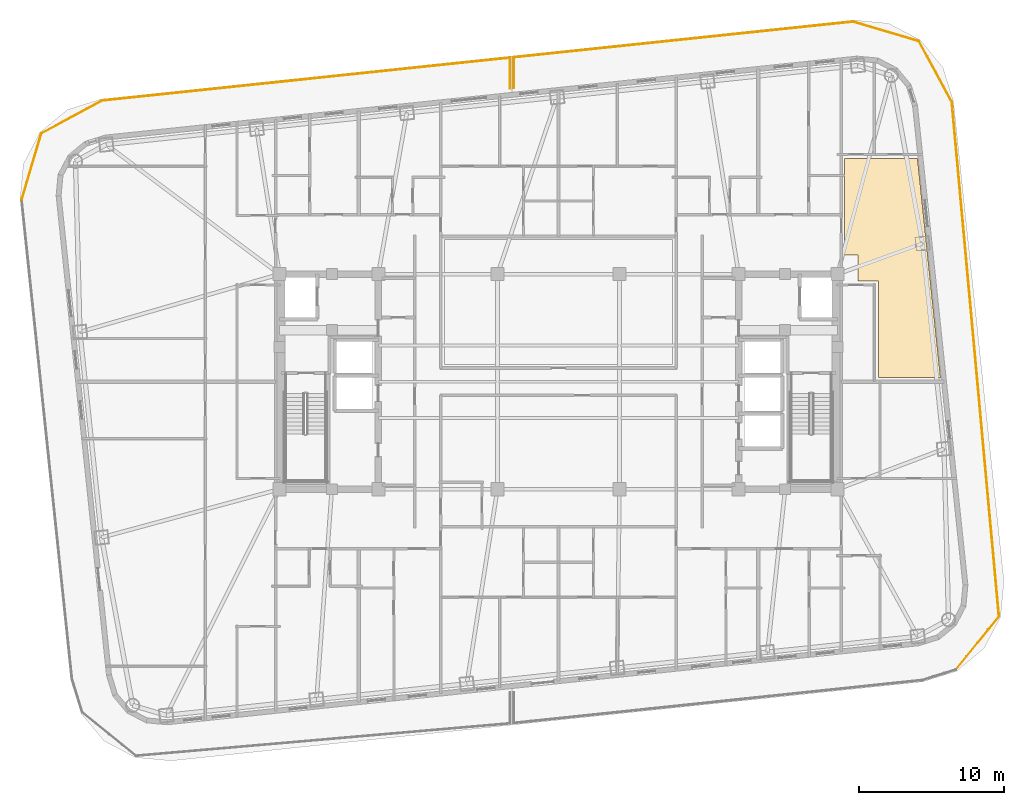
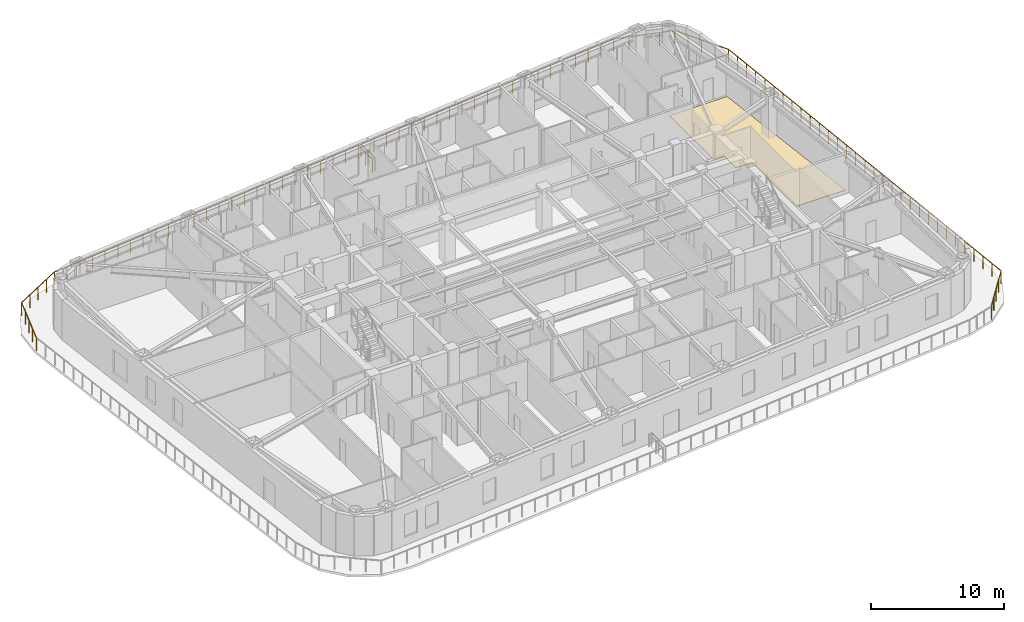
# One storey, part 15 of 15: 10 railings, 1 covering.
"""IFC4 building model written with IfcOpenShell, lengths in metres."""

import ifcopenshell
import ifcopenshell.guid

model = None  # the IFC model being written
_history = None  # IfcOwnerHistory: only IFC2X3 demands one
_inside = {}  # id of a spatial element -> (the spatial element, [elements in it])
_under = {}  # id of a project, library or spatial element -> (it, [spatial elements below it])
_declared = {}  # id of a project -> (the project, [libraries it declares])
_typed = {}  # id of a type object -> (the type object, [elements of that type])
_made_of = {}  # id of a material, layer set ... -> (it, [elements and type objects made of it])


def new_model(schema):
    """Start an empty IFC model of exactly this schema.

    Asked for "IFC4X3", IfcOpenShell would pick the latest addendum, in which some entities
    have other attributes; the version numbers below select the first issue.
    IFC2X3 requires an IfcOwnerHistory on every rooted entity: one is made here for all.
    """
    global model, _history
    if schema == "IFC4X3":
        model = ifcopenshell.file(schema_version=(4, 3, 0, 0))
    else:
        model = ifcopenshell.file(schema=schema)
    _inside.clear()
    _under.clear()
    _declared.clear()
    _typed.clear()
    _made_of.clear()
    _history = None
    if model.schema == "IFC2X3":
        org = make("IfcOrganization", Name="unknown")
        user = make(
            "IfcPersonAndOrganization",
            ThePerson=make("IfcPerson", FamilyName="unknown"),
            TheOrganization=org,
        )
        app = make(
            "IfcApplication",
            ApplicationDeveloper=org,
            Version="unknown",
            ApplicationFullName="unknown",
            ApplicationIdentifier="unknown",
        )
        _history = make(
            "IfcOwnerHistory",
            OwningUser=user,
            OwningApplication=app,
            ChangeAction="ADDED",
            CreationDate=0,
        )
    return model


def make(cls, **values):
    """One entity of the class cls with the attributes given. An attribute that is None is left unset."""
    return model.create_entity(
        cls, **{name: value for name, value in values.items() if value is not None}
    )


def rooted(cls, **values):
    """An entity with a GlobalId (a new one), such as an element, a storey or a relation."""
    return make(cls, GlobalId=ifcopenshell.guid.new(), OwnerHistory=_history, **values)


def si_unit(unit_type, name, prefix=None):
    """IfcSIUnit, for example si_unit("LENGTHUNIT", "METRE", prefix="MILLI")."""
    return make("IfcSIUnit", UnitType=unit_type, Prefix=prefix, Name=name)


def assignment(units):
    """IfcUnitAssignment: the units of a project."""
    return None if units is None else make("IfcUnitAssignment", Units=units)


def point(xyz):
    """IfcCartesianPoint."""
    return None if xyz is None else make("IfcCartesianPoint", Coordinates=xyz)


def direction(xyz):
    """IfcDirection."""
    return None if xyz is None else make("IfcDirection", DirectionRatios=xyz)


def frame(location, z_axis=None, x_axis=None):
    """IfcAxis2Placement3D, a coordinate frame: its origin and axes. An axis left out is left unset."""
    return make(
        "IfcAxis2Placement3D",
        Location=point(location),
        Axis=direction(z_axis),
        RefDirection=direction(x_axis),
    )


def frame_2d(location, x_axis=None):
    """IfcAxis2Placement2D, a coordinate frame in the plane: its origin and x axis."""
    return make(
        "IfcAxis2Placement2D", Location=point(location), RefDirection=direction(x_axis)
    )


def origin():
    """The frame at (0, 0, 0) with its axes left unset."""
    return frame((0.0, 0.0, 0.0))


def origin_2d():
    """The frame at (0, 0) in the plane with its x axis left unset."""
    return frame_2d((0.0, 0.0))


def place(relative_to, where):
    """IfcLocalPlacement: puts the frame where relative to a parent placement (None: the world)."""
    return make(
        "IfcLocalPlacement", PlacementRelTo=relative_to, RelativePlacement=where
    )


def context(
    kind, dimensions, precision=None, world=None, true_north=None, identifier=None
):
    """IfcGeometricRepresentationContext, for example the 3D "Model" context."""
    return make(
        "IfcGeometricRepresentationContext",
        ContextIdentifier=identifier,
        ContextType=kind,
        CoordinateSpaceDimension=dimensions,
        Precision=precision,
        WorldCoordinateSystem=world,
        TrueNorth=true_north,
    )


def subcontext(parent, identifier, kind, view, scale=None):
    """IfcGeometricRepresentationSubContext, for example "Body" below "Model"."""
    return make(
        "IfcGeometricRepresentationSubContext",
        ContextIdentifier=identifier,
        ContextType=kind,
        ParentContext=parent,
        TargetScale=scale,
        TargetView=view,
    )


def project(units=None, contexts=None):
    """IfcProject with its units and contexts."""
    return rooted(
        "IfcProject",
        Name="project",
        RepresentationContexts=contexts,
        UnitsInContext=assignment(units),
    )


def spatial(cls, under=None, at=None, **own):
    """A site, building, storey or space (cls), placed at a placement, below another one or the project."""
    s = rooted(cls, ObjectPlacement=at, **own)
    if under is not None:
        _under.setdefault(under.id(), (under, []))[1].append(s)
    return s


def polyline(points):
    """IfcPolyline through the points."""
    return make("IfcPolyline", Points=[point(p) for p in points])


def profile(cls, at=None, kind="AREA", **sizes):
    """A parametric profile (cls). Its sizes go by their IFC names, for example OverallWidth=200.0."""
    return make(cls, ProfileType=kind, Position=at, **sizes)


def circle(**sizes):
    """IfcCircleProfileDef."""
    return profile("IfcCircleProfileDef", **sizes)


def outline(outer, holes=None, kind="AREA"):
    """IfcArbitraryClosedProfileDef: a profile drawn as a closed curve; with holes, ...WithVoids."""
    if holes is None:
        return make("IfcArbitraryClosedProfileDef", ProfileType=kind, OuterCurve=outer)
    return make(
        "IfcArbitraryProfileDefWithVoids",
        ProfileType=kind,
        OuterCurve=outer,
        InnerCurves=holes,
    )


def extrude(swept, where, along, depth):
    """IfcExtrudedAreaSolid: the profile swept, set in the frame where, extruded along a direction by depth."""
    return make(
        "IfcExtrudedAreaSolid",
        SweptArea=swept,
        Position=where,
        ExtrudedDirection=direction(along),
        Depth=depth,
    )


def shape(context_of_items, identifier, shape_type, items):
    """IfcShapeRepresentation: the items that make up one representation, for example the "Body"."""
    return make(
        "IfcShapeRepresentation",
        ContextOfItems=context_of_items,
        RepresentationIdentifier=identifier,
        RepresentationType=shape_type,
        Items=items,
    )


def material(Name=None, Category=None):
    """IfcMaterial."""
    return make("IfcMaterial", Name=Name, Category=Category)


def layer(
    of_material, thickness, ventilated=None, Name=None, Category=None, Priority=None
):
    """IfcMaterialLayer: one layer of a wall or slab, of a material (None: an air gap)."""
    return make(
        "IfcMaterialLayer",
        Material=of_material,
        LayerThickness=thickness,
        IsVentilated=ventilated,
        Name=Name,
        Category=Category,
        Priority=Priority,
    )


def layer_set(layers, Name=None):
    """IfcMaterialLayerSet."""
    return make("IfcMaterialLayerSet", MaterialLayers=layers, LayerSetName=Name)


def made_of(thing, what):
    """Note that an element or type object is made of a material, layer set ...; save() writes the relation."""
    if what is not None:
        _made_of.setdefault(what.id(), (what, []))[1].append(thing)
    return thing


def type_object(cls, material=None, **own):
    """A type object (cls), such as IfcWallType, which elements share."""
    return made_of(rooted(cls, **own), material)


def element(
    cls,
    number,
    at=None,
    inside=None,
    cuts=None,
    type_object=None,
    material=None,
    context=None,
    identifier="Body",
    shape_type=None,
    held_by="IfcProductDefinitionShape",
    body=None,
    shapes=None,
    **own,
):
    """One element of the class cls, such as IfcWall. Its Tag is "e" and its number.

    at: its placement. inside: the storey or other place that contains it. cuts: it is an
    opening in that element (IfcRelVoidsElement). A single representation is given by context,
    identifier, shape_type and body (its items); several are given by shapes. held_by: the class
    of the entity that holds the representations. save() writes the other relations.
    """
    e = rooted(cls, Tag="e%d" % number, ObjectPlacement=at, **own)
    if body is not None:
        shapes = [shape(context, identifier, shape_type, body)]
    if shapes is not None:
        e.Representation = make(held_by, Representations=shapes)
    if inside is not None:
        _inside.setdefault(inside.id(), (inside, []))[1].append(e)
    if cuts is not None:
        rooted(
            "IfcRelVoidsElement", RelatingBuildingElement=cuts, RelatedOpeningElement=e
        )
    if type_object is not None:
        _typed.setdefault(type_object.id(), (type_object, []))[1].append(e)
    return made_of(e, material)


def aggregate(whole, parts):
    """IfcRelAggregates: a whole, such as a stair, and the parts it consists of."""
    return rooted("IfcRelAggregates", RelatingObject=whole, RelatedObjects=parts)


def save(model, path):
    """Write the relations noted so far, then the file.

    IfcRelAggregates (storeys below a building ...), IfcRelContainedInSpatialStructure (elements
    in a storey), IfcRelDefinesByType, IfcRelAssociatesMaterial and IfcRelDeclares: one each for
    every whole, place, type object, material and project.
    """
    for whole, parts in _under.values():
        aggregate(whole, parts)
    for where, things in _inside.values():
        rooted(
            "IfcRelContainedInSpatialStructure",
            RelatedElements=things,
            RelatingStructure=where,
        )
    for kind, things in _typed.values():
        rooted("IfcRelDefinesByType", RelatedObjects=things, RelatingType=kind)
    for what, things in _made_of.values():
        rooted("IfcRelAssociatesMaterial", RelatedObjects=things, RelatingMaterial=what)
    for by, libraries in _declared.values():
        rooted("IfcRelDeclares", RelatingContext=by, RelatedDefinitions=libraries)
    model.write(path)


model = new_model("IFC4")

# Units and contexts
model_context = context("Model", 3, precision=1e-05, world=origin(), true_north=direction((0.0, 1.0)))
body_context = subcontext(model_context, "Body", "Model", "MODEL_VIEW")
ifc_project = project(units=[si_unit("LENGTHUNIT", "METRE"), si_unit("AREAUNIT", "SQUARE_METRE"), si_unit("VOLUMEUNIT", "CUBIC_METRE"), si_unit("PLANEANGLEUNIT", "RADIAN"), si_unit("MASSUNIT", "GRAM", prefix="KILO")], contexts=[model_context])

# Site, building, storey
site_placement = place(None, origin())
site = spatial("IfcSite", under=ifc_project, at=site_placement, CompositionType="ELEMENT")
building_placement = place(site_placement, origin())
building = spatial("IfcBuilding", under=site, at=building_placement, Name="Voryun Gate Residences", CompositionType="ELEMENT")
storey_placement = place(building_placement, frame((0.0, 0.0, 171.60009765625)))
storey = spatial("IfcBuildingStorey", under=building, at=storey_placement, Name="L42", CompositionType="ELEMENT", Elevation=171.60009765625)

# Covering
ifc_material_1 = material(Name="Architectural oak flooring")
ifc_layer = layer(ifc_material_1, 0.044921875, Name="COV_FLOOR_ONDOL_OAK")
ifc_layer_set = layer_set([ifc_layer], Name="Architectural oak flooring")
covering_type = type_object("IfcCoveringType", Name="COV_FLOOR_ONDOL_OAK", PredefinedType="FLOORING", material=ifc_layer_set)
covering_placement = place(storey_placement, origin())
element("IfcCovering", 1, at=covering_placement, inside=storey, type_object=covering_type, Name="Ondol oak floor FLR-L42-01", PredefinedType="FLOORING", context=body_context, shape_type="SweptSolid", body=[
    extrude(outline(polyline([(20.6201171875, 6.93994140625), (20.6201171875, 8.719970703125), (19.68994140625, 8.719970703125), (19.68994140625, 15.362060546875), (24.701171875, 15.362060546875), (26.286376953125, 0.280029296875), (22.009033203125, 0.280029296875), (22.009033203125, 6.93994140625), (20.6201171875, 6.93994140625)])), origin(), (0.0, 0.0, 1.0), 0.044921875),
])

# Railings
ifc_material_2 = material(Name="Anodised aluminium", Category="aluminium")
railing_type = type_object("IfcRailingType", Name="RAIL_BALCONY_GUARD_1200", PredefinedType="GUARDRAIL", material=ifc_material_2)
railing_1_placement = place(storey_placement, frame((-36.937744140625, 12.53369140625, 0.0)))
element("IfcRailing", 2, at=railing_1_placement, inside=storey, type_object=railing_type, Name="Terrace guard RL-L42-P1L1-04", PredefinedType="GUARDRAIL", context=body_context, shape_type="SweptSolid", body=[
    extrude(circle(Radius=0.02392578125, at=origin_2d()), frame((0.0, 0.0, 1.17578125), z_axis=(0.283546388433, 0.958958521317, 0.0), x_axis=(-0.958958521317, 0.283546388433, 0.0)), (0.0, 0.0, 1.0), 4.739990234375),
    extrude(circle(Radius=0.02099609375, at=origin_2d()), origin(), (0.0, 0.0, 1.0), 1.15185546875),
    extrude(circle(Radius=0.02099609375, at=origin_2d()), frame((0.3359375, 1.13623046875, 0.0)), (0.0, 0.0, 1.0), 1.15185546875),
    extrude(circle(Radius=0.02099609375, at=origin_2d()), frame((0.671875, 2.272705078125, 0.0)), (0.0, 0.0, 1.0), 1.15185546875),
    extrude(circle(Radius=0.02099609375, at=origin_2d()), frame((1.008056640625, 3.4091796875, 0.0)), (0.0, 0.0, 1.0), 1.15185546875),
    extrude(circle(Radius=0.02099609375, at=origin_2d()), frame((1.343994140625, 4.54541015625, 0.0)), (0.0, 0.0, 1.0), 1.15185546875),
])
railing_2_placement = place(storey_placement, frame((-35.59375, 17.0791015625, 0.0)))
element("IfcRailing", 3, at=railing_2_placement, inside=storey, type_object=railing_type, Name="Terrace guard RL-L42-P1L1-05", PredefinedType="GUARDRAIL", context=body_context, shape_type="SweptSolid", body=[
    extrude(circle(Radius=0.02392578125, at=origin_2d()), frame((0.0, 0.0, 1.17578125), z_axis=(0.879068073765, 0.476696257262, 0.0), x_axis=(-0.476696257262, 0.879068073765, 0.0)), (0.0, 0.0, 1.0), 4.739990234375),
    extrude(circle(Radius=0.02099609375, at=origin_2d()), origin(), (0.0, 0.0, 1.0), 1.15185546875),
    extrude(circle(Radius=0.02099609375, at=origin_2d()), frame((1.041748046875, 0.56494140625, 0.0)), (0.0, 0.0, 1.0), 1.15185546875),
    extrude(circle(Radius=0.02099609375, at=origin_2d()), frame((2.08349609375, 1.1298828125, 0.0)), (0.0, 0.0, 1.0), 1.15185546875),
    extrude(circle(Radius=0.02099609375, at=origin_2d()), frame((3.125, 1.694580078125, 0.0)), (0.0, 0.0, 1.0), 1.15185546875),
    extrude(circle(Radius=0.02099609375, at=origin_2d()), frame((4.166748046875, 2.259521484375, 0.0)), (0.0, 0.0, 1.0), 1.15185546875),
])
railing_3_placement = place(storey_placement, frame((-31.427001953125, 19.338623046875, 0.0)))
element("IfcRailing", 4, at=railing_3_placement, inside=storey, type_object=railing_type, Name="Terrace guard RL-L42-P1L1-06", PredefinedType="GUARDRAIL", context=body_context, shape_type="SweptSolid", body=[
    extrude(circle(Radius=0.02392578125, at=origin_2d()), frame((0.0, 0.0, 1.17578125), z_axis=(0.994521824323, 0.104529139219, 0.0), x_axis=(-0.104529139219, 0.994521824323, 0.0)), (0.0, 0.0, 1.0), 28.251708984375),
    extrude(circle(Radius=0.02099609375, at=origin_2d()), origin(), (0.0, 0.0, 1.0), 1.15185546875),
    extrude(circle(Radius=0.02099609375, at=origin_2d()), frame((1.170654296875, 0.123046875, 0.0)), (0.0, 0.0, 1.0), 1.15185546875),
    extrude(circle(Radius=0.02099609375, at=origin_2d()), frame((2.34130859375, 0.24609375, 0.0)), (0.0, 0.0, 1.0), 1.15185546875),
    extrude(circle(Radius=0.02099609375, at=origin_2d()), frame((3.51220703125, 0.369140625, 0.0)), (0.0, 0.0, 1.0), 1.15185546875),
    extrude(circle(Radius=0.02099609375, at=origin_2d()), frame((4.682861328125, 0.4921875, 0.0)), (0.0, 0.0, 1.0), 1.15185546875),
    extrude(circle(Radius=0.02099609375, at=origin_2d()), frame((5.853515625, 0.615234375, 0.0)), (0.0, 0.0, 1.0), 1.15185546875),
    extrude(circle(Radius=0.02099609375, at=origin_2d()), frame((7.024169921875, 0.73828125, 0.0)), (0.0, 0.0, 1.0), 1.15185546875),
    extrude(circle(Radius=0.02099609375, at=origin_2d()), frame((8.19482421875, 0.861328125, 0.0)), (0.0, 0.0, 1.0), 1.15185546875),
    extrude(circle(Radius=0.02099609375, at=origin_2d()), frame((9.36572265625, 0.984375, 0.0)), (0.0, 0.0, 1.0), 1.15185546875),
    extrude(circle(Radius=0.02099609375, at=origin_2d()), frame((10.536376953125, 1.107421875, 0.0)), (0.0, 0.0, 1.0), 1.15185546875),
    extrude(circle(Radius=0.02099609375, at=origin_2d()), frame((11.70703125, 1.23046875, 0.0)), (0.0, 0.0, 1.0), 1.15185546875),
    extrude(circle(Radius=0.02099609375, at=origin_2d()), frame((12.877685546875, 1.353515625, 0.0)), (0.0, 0.0, 1.0), 1.15185546875),
    extrude(circle(Radius=0.02099609375, at=origin_2d()), frame((14.04833984375, 1.4765625, 0.0)), (0.0, 0.0, 1.0), 1.15185546875),
    extrude(circle(Radius=0.02099609375, at=origin_2d()), frame((15.21923828125, 1.599609375, 0.0)), (0.0, 0.0, 1.0), 1.15185546875),
    extrude(circle(Radius=0.02099609375, at=origin_2d()), frame((16.389892578125, 1.72265625, 0.0)), (0.0, 0.0, 1.0), 1.15185546875),
    extrude(circle(Radius=0.02099609375, at=origin_2d()), frame((17.560546875, 1.845703125, 0.0)), (0.0, 0.0, 1.0), 1.15185546875),
    extrude(circle(Radius=0.02099609375, at=origin_2d()), frame((18.731201171875, 1.96875, 0.0)), (0.0, 0.0, 1.0), 1.15185546875),
    extrude(circle(Radius=0.02099609375, at=origin_2d()), frame((19.902099609375, 2.091796875, 0.0)), (0.0, 0.0, 1.0), 1.15185546875),
    extrude(circle(Radius=0.02099609375, at=origin_2d()), frame((21.07275390625, 2.21484375, 0.0)), (0.0, 0.0, 1.0), 1.15185546875),
    extrude(circle(Radius=0.02099609375, at=origin_2d()), frame((22.243408203125, 2.337890625, 0.0)), (0.0, 0.0, 1.0), 1.15185546875),
    extrude(circle(Radius=0.02099609375, at=origin_2d()), frame((23.4140625, 2.4609375, 0.0)), (0.0, 0.0, 1.0), 1.15185546875),
    extrude(circle(Radius=0.02099609375, at=origin_2d()), frame((24.584716796875, 2.583984375, 0.0)), (0.0, 0.0, 1.0), 1.15185546875),
    extrude(circle(Radius=0.02099609375, at=origin_2d()), frame((25.755615234375, 2.70703125, 0.0)), (0.0, 0.0, 1.0), 1.15185546875),
    extrude(circle(Radius=0.02099609375, at=origin_2d()), frame((26.92626953125, 2.830078125, 0.0)), (0.0, 0.0, 1.0), 1.15185546875),
    extrude(circle(Radius=0.02099609375, at=origin_2d()), frame((28.096923828125, 2.953125, 0.0)), (0.0, 0.0, 1.0), 1.15185546875),
])
railing_4_placement = place(storey_placement, frame((-3.330078125, 22.291748046875, 0.0)))
element("IfcRailing", 5, at=railing_4_placement, inside=storey, type_object=railing_type, Name="Terrace guard RL-L42-P1L1-07", PredefinedType="GUARDRAIL", context=body_context, shape_type="SweptSolid", body=[
    extrude(circle(Radius=0.02392578125, at=origin_2d()), frame((0.0, 0.0, 1.17578125), z_axis=(0.0, -1.0, 0.0), x_axis=(1.0, 0.0, 0.0)), (0.0, 0.0, 1.0), 2.111572265625),
    extrude(circle(Radius=0.02099609375, at=origin_2d()), origin(), (0.0, 0.0, 1.0), 1.15185546875),
    extrude(circle(Radius=0.02099609375, at=origin_2d()), frame((0.0, -1.0556640625, 0.0)), (0.0, 0.0, 1.0), 1.15185546875),
    extrude(circle(Radius=0.02099609375, at=origin_2d()), frame((0.0, -2.111572265625, 0.0)), (0.0, 0.0, 1.0), 1.15185546875),
])
railing_5_placement = place(storey_placement, frame((20.2646484375, 24.771728515625, 0.0)))
element("IfcRailing", 6, at=railing_5_placement, inside=storey, type_object=railing_type, Name="Terrace guard RL-L42-P2L1-01", PredefinedType="GUARDRAIL", context=body_context, shape_type="SweptSolid", body=[
    extrude(circle(Radius=0.02392578125, at=origin_2d()), frame((0.0, 0.0, 1.17578125), z_axis=(0.958958521317, -0.283546388433, 0.0), x_axis=(0.283546388433, 0.958958521317, 0.0)), (0.0, 0.0, 1.0), 4.739990234375),
    extrude(circle(Radius=0.02099609375, at=origin_2d()), origin(), (0.0, 0.0, 1.0), 1.15185546875),
    extrude(circle(Radius=0.02099609375, at=origin_2d()), frame((1.13623046875, -0.3359375, 0.0)), (0.0, 0.0, 1.0), 1.15185546875),
    extrude(circle(Radius=0.02099609375, at=origin_2d()), frame((2.272705078125, -0.671875, 0.0)), (0.0, 0.0, 1.0), 1.15185546875),
    extrude(circle(Radius=0.02099609375, at=origin_2d()), frame((3.4091796875, -1.008056640625, 0.0)), (0.0, 0.0, 1.0), 1.15185546875),
    extrude(circle(Radius=0.02099609375, at=origin_2d()), frame((4.54541015625, -1.343994140625, 0.0)), (0.0, 0.0, 1.0), 1.15185546875),
])
railing_6_placement = place(storey_placement, frame((24.81005859375, 23.427734375, 0.0)))
element("IfcRailing", 7, at=railing_6_placement, inside=storey, type_object=railing_type, Name="Terrace guard RL-L42-P2L1-02", PredefinedType="GUARDRAIL", context=body_context, shape_type="SweptSolid", body=[
    extrude(circle(Radius=0.02392578125, at=origin_2d()), frame((0.0, 0.0, 1.17578125), z_axis=(0.476736058295, -0.879046489511, 0.0), x_axis=(0.879046489511, 0.476736058295, 0.0)), (0.0, 0.0, 1.0), 4.739990234375),
    extrude(circle(Radius=0.02099609375, at=origin_2d()), origin(), (0.0, 0.0, 1.0), 1.15185546875),
    extrude(circle(Radius=0.02099609375, at=origin_2d()), frame((0.56494140625, -1.041748046875, 0.0)), (0.0, 0.0, 1.0), 1.15185546875),
    extrude(circle(Radius=0.02099609375, at=origin_2d()), frame((1.1298828125, -2.08349609375, 0.0)), (0.0, 0.0, 1.0), 1.15185546875),
    extrude(circle(Radius=0.02099609375, at=origin_2d()), frame((1.69482421875, -3.125, 0.0)), (0.0, 0.0, 1.0), 1.15185546875),
    extrude(circle(Radius=0.02099609375, at=origin_2d()), frame((2.259765625, -4.166748046875, 0.0)), (0.0, 0.0, 1.0), 1.15185546875),
])
railing_7_placement = place(storey_placement, frame((27.06982421875, 19.260986328125, 0.0)))
element("IfcRailing", 8, at=railing_7_placement, inside=storey, type_object=railing_type, Name="Terrace guard RL-L42-P2L1-03", PredefinedType="GUARDRAIL", context=body_context, shape_type="SweptSolid", body=[
    extrude(circle(Radius=0.02392578125, at=origin_2d()), frame((0.0, 0.0, 1.17578125), z_axis=(0.091296603443, -0.995823744545, 0.0), x_axis=(0.995823744545, 0.091296603443, 0.0)), (0.0, 0.0, 1.0), 35.555419921875),
    extrude(circle(Radius=0.02099609375, at=origin_2d()), origin(), (0.0, 0.0, 1.0), 1.15185546875),
    extrude(circle(Radius=0.02099609375, at=origin_2d()), frame((0.108154296875, -1.18017578125, 0.0)), (0.0, 0.0, 1.0), 1.15185546875),
    extrude(circle(Radius=0.02099609375, at=origin_2d()), frame((0.21630859375, -2.3603515625, 0.0)), (0.0, 0.0, 1.0), 1.15185546875),
    extrude(circle(Radius=0.02099609375, at=origin_2d()), frame((0.32470703125, -3.540771484375, 0.0)), (0.0, 0.0, 1.0), 1.15185546875),
    extrude(circle(Radius=0.02099609375, at=origin_2d()), frame((0.432861328125, -4.720947265625, 0.0)), (0.0, 0.0, 1.0), 1.15185546875),
    extrude(circle(Radius=0.02099609375, at=origin_2d()), frame((0.541015625, -5.901123046875, 0.0)), (0.0, 0.0, 1.0), 1.15185546875),
    extrude(circle(Radius=0.02099609375, at=origin_2d()), frame((0.649169921875, -7.081298828125, 0.0)), (0.0, 0.0, 1.0), 1.15185546875),
    extrude(circle(Radius=0.02099609375, at=origin_2d()), frame((0.75732421875, -8.26171875, 0.0)), (0.0, 0.0, 1.0), 1.15185546875),
    extrude(circle(Radius=0.02099609375, at=origin_2d()), frame((0.86572265625, -9.44189453125, 0.0)), (0.0, 0.0, 1.0), 1.15185546875),
    extrude(circle(Radius=0.02099609375, at=origin_2d()), frame((0.973876953125, -10.6220703125, 0.0)), (0.0, 0.0, 1.0), 1.15185546875),
    extrude(circle(Radius=0.02099609375, at=origin_2d()), frame((1.08203125, -11.80224609375, 0.0)), (0.0, 0.0, 1.0), 1.15185546875),
    extrude(circle(Radius=0.02099609375, at=origin_2d()), frame((1.190185546875, -12.982666015625, 0.0)), (0.0, 0.0, 1.0), 1.15185546875),
    extrude(circle(Radius=0.02099609375, at=origin_2d()), frame((1.29833984375, -14.162841796875, 0.0)), (0.0, 0.0, 1.0), 1.15185546875),
    extrude(circle(Radius=0.02099609375, at=origin_2d()), frame((1.40673828125, -15.343017578125, 0.0)), (0.0, 0.0, 1.0), 1.15185546875),
    extrude(circle(Radius=0.02099609375, at=origin_2d()), frame((1.514892578125, -16.523193359375, 0.0)), (0.0, 0.0, 1.0), 1.15185546875),
    extrude(circle(Radius=0.02099609375, at=origin_2d()), frame((1.623046875, -17.70361328125, 0.0)), (0.0, 0.0, 1.0), 1.15185546875),
    extrude(circle(Radius=0.02099609375, at=origin_2d()), frame((1.731201171875, -18.8837890625, 0.0)), (0.0, 0.0, 1.0), 1.15185546875),
    extrude(circle(Radius=0.02099609375, at=origin_2d()), frame((1.83935546875, -20.06396484375, 0.0)), (0.0, 0.0, 1.0), 1.15185546875),
    extrude(circle(Radius=0.02099609375, at=origin_2d()), frame((1.94775390625, -21.244140625, 0.0)), (0.0, 0.0, 1.0), 1.15185546875),
    extrude(circle(Radius=0.02099609375, at=origin_2d()), frame((2.055908203125, -22.42431640625, 0.0)), (0.0, 0.0, 1.0), 1.15185546875),
    extrude(circle(Radius=0.02099609375, at=origin_2d()), frame((2.1640625, -23.604736328125, 0.0)), (0.0, 0.0, 1.0), 1.15185546875),
    extrude(circle(Radius=0.02099609375, at=origin_2d()), frame((2.272216796875, -24.784912109375, 0.0)), (0.0, 0.0, 1.0), 1.15185546875),
    extrude(circle(Radius=0.02099609375, at=origin_2d()), frame((2.38037109375, -25.965087890625, 0.0)), (0.0, 0.0, 1.0), 1.15185546875),
    extrude(circle(Radius=0.02099609375, at=origin_2d()), frame((2.48876953125, -27.145263671875, 0.0)), (0.0, 0.0, 1.0), 1.15185546875),
    extrude(circle(Radius=0.02099609375, at=origin_2d()), frame((2.596923828125, -28.32568359375, 0.0)), (0.0, 0.0, 1.0), 1.15185546875),
    extrude(circle(Radius=0.02099609375, at=origin_2d()), frame((2.705078125, -29.505859375, 0.0)), (0.0, 0.0, 1.0), 1.15185546875),
    extrude(circle(Radius=0.02099609375, at=origin_2d()), frame((2.813232421875, -30.68603515625, 0.0)), (0.0, 0.0, 1.0), 1.15185546875),
    extrude(circle(Radius=0.02099609375, at=origin_2d()), frame((2.92138671875, -31.8662109375, 0.0)), (0.0, 0.0, 1.0), 1.15185546875),
    extrude(circle(Radius=0.02099609375, at=origin_2d()), frame((3.02978515625, -33.046630859375, 0.0)), (0.0, 0.0, 1.0), 1.15185546875),
    extrude(circle(Radius=0.02099609375, at=origin_2d()), frame((3.137939453125, -34.226806640625, 0.0)), (0.0, 0.0, 1.0), 1.15185546875),
    extrude(circle(Radius=0.02099609375, at=origin_2d()), frame((3.24609375, -35.406982421875, 0.0)), (0.0, 0.0, 1.0), 1.15185546875),
])
railing_8_placement = place(storey_placement, frame((30.31591796875, -16.14599609375, 0.0)))
element("IfcRailing", 9, at=railing_8_placement, inside=storey, type_object=railing_type, Name="Terrace guard RL-L42-P2L1-04", PredefinedType="GUARDRAIL", context=body_context, shape_type="SweptSolid", body=[
    extrude(circle(Radius=0.02392578125, at=origin_2d()), frame((0.0, 0.0, 1.17578125), z_axis=(-0.629312603616, -0.777152267532, 0.0), x_axis=(0.777152267532, -0.629312603616, 0.0)), (0.0, 0.0, 1.0), 4.72802734375),
    extrude(circle(Radius=0.02099609375, at=origin_2d()), origin(), (0.0, 0.0, 1.0), 1.15185546875),
    extrude(circle(Radius=0.02099609375, at=origin_2d()), frame((-0.743896484375, -0.91845703125, 0.0)), (0.0, 0.0, 1.0), 1.15185546875),
    extrude(circle(Radius=0.02099609375, at=origin_2d()), frame((-1.48779296875, -1.837158203125, 0.0)), (0.0, 0.0, 1.0), 1.15185546875),
    extrude(circle(Radius=0.02099609375, at=origin_2d()), frame((-2.2314453125, -2.755859375, 0.0)), (0.0, 0.0, 1.0), 1.15185546875),
    extrude(circle(Radius=0.02099609375, at=origin_2d()), frame((-2.975341796875, -3.67431640625, 0.0)), (0.0, 0.0, 1.0), 1.15185546875),
])
railing_9_placement = place(storey_placement, frame((-3.070068359375, 20.20751953125, 0.0)))
element("IfcRailing", 10, at=railing_9_placement, inside=storey, type_object=railing_type, Name="Terrace guard RL-L42-P2L2-01", PredefinedType="GUARDRAIL", context=body_context, shape_type="SweptSolid", body=[
    extrude(circle(Radius=0.02392578125, at=origin_2d()), frame((0.0, 0.0, 1.17578125), z_axis=(0.0, 1.0, 0.0), x_axis=(-1.0, 0.0, 0.0)), (0.0, 0.0, 1.0), 2.111572265625),
    extrude(circle(Radius=0.02099609375, at=origin_2d()), origin(), (0.0, 0.0, 1.0), 1.15185546875),
    extrude(circle(Radius=0.02099609375, at=origin_2d()), frame((0.0, 1.0556640625, 0.0)), (0.0, 0.0, 1.0), 1.15185546875),
    extrude(circle(Radius=0.02099609375, at=origin_2d()), frame((0.0, 2.111572265625, 0.0)), (0.0, 0.0, 1.0), 1.15185546875),
])
railing_10_placement = place(storey_placement, frame((-3.070068359375, 22.319091796875, 0.0)))
element("IfcRailing", 11, at=railing_10_placement, inside=storey, type_object=railing_type, Name="Terrace guard RL-L42-P2L2-02", PredefinedType="GUARDRAIL", context=body_context, shape_type="SweptSolid", body=[
    extrude(circle(Radius=0.02392578125, at=origin_2d()), frame((0.0, 0.0, 1.17578125), z_axis=(0.994521633276, 0.104530956883, 0.0), x_axis=(-0.104530956883, 0.994521633276, 0.0)), (0.0, 0.0, 1.0), 23.46337890625),
    extrude(circle(Radius=0.02099609375, at=origin_2d()), origin(), (0.0, 0.0, 1.0), 1.15185546875),
    extrude(circle(Radius=0.02099609375, at=origin_2d()), frame((1.166748046875, 0.12255859375, 0.0)), (0.0, 0.0, 1.0), 1.15185546875),
    extrude(circle(Radius=0.02099609375, at=origin_2d()), frame((2.33349609375, 0.245361328125, 0.0)), (0.0, 0.0, 1.0), 1.15185546875),
    extrude(circle(Radius=0.02099609375, at=origin_2d()), frame((3.500244140625, 0.367919921875, 0.0)), (0.0, 0.0, 1.0), 1.15185546875),
    extrude(circle(Radius=0.02099609375, at=origin_2d()), frame((4.6669921875, 0.490478515625, 0.0)), (0.0, 0.0, 1.0), 1.15185546875),
    extrude(circle(Radius=0.02099609375, at=origin_2d()), frame((5.833740234375, 0.61328125, 0.0)), (0.0, 0.0, 1.0), 1.15185546875),
    extrude(circle(Radius=0.02099609375, at=origin_2d()), frame((7.00048828125, 0.73583984375, 0.0)), (0.0, 0.0, 1.0), 1.15185546875),
    extrude(circle(Radius=0.02099609375, at=origin_2d()), frame((8.167236328125, 0.8583984375, 0.0)), (0.0, 0.0, 1.0), 1.15185546875),
    extrude(circle(Radius=0.02099609375, at=origin_2d()), frame((9.333984375, 0.98095703125, 0.0)), (0.0, 0.0, 1.0), 1.15185546875),
    extrude(circle(Radius=0.02099609375, at=origin_2d()), frame((10.500732421875, 1.103759765625, 0.0)), (0.0, 0.0, 1.0), 1.15185546875),
    extrude(circle(Radius=0.02099609375, at=origin_2d()), frame((11.66748046875, 1.226318359375, 0.0)), (0.0, 0.0, 1.0), 1.15185546875),
    extrude(circle(Radius=0.02099609375, at=origin_2d()), frame((12.833984375, 1.348876953125, 0.0)), (0.0, 0.0, 1.0), 1.15185546875),
    extrude(circle(Radius=0.02099609375, at=origin_2d()), frame((14.000732421875, 1.4716796875, 0.0)), (0.0, 0.0, 1.0), 1.15185546875),
    extrude(circle(Radius=0.02099609375, at=origin_2d()), frame((15.16748046875, 1.59423828125, 0.0)), (0.0, 0.0, 1.0), 1.15185546875),
    extrude(circle(Radius=0.02099609375, at=origin_2d()), frame((16.334228515625, 1.716796875, 0.0)), (0.0, 0.0, 1.0), 1.15185546875),
    extrude(circle(Radius=0.02099609375, at=origin_2d()), frame((17.5009765625, 1.83935546875, 0.0)), (0.0, 0.0, 1.0), 1.15185546875),
    extrude(circle(Radius=0.02099609375, at=origin_2d()), frame((18.667724609375, 1.962158203125, 0.0)), (0.0, 0.0, 1.0), 1.15185546875),
    extrude(circle(Radius=0.02099609375, at=origin_2d()), frame((19.83447265625, 2.084716796875, 0.0)), (0.0, 0.0, 1.0), 1.15185546875),
    extrude(circle(Radius=0.02099609375, at=origin_2d()), frame((21.001220703125, 2.207275390625, 0.0)), (0.0, 0.0, 1.0), 1.15185546875),
    extrude(circle(Radius=0.02099609375, at=origin_2d()), frame((22.16796875, 2.330078125, 0.0)), (0.0, 0.0, 1.0), 1.15185546875),
    extrude(circle(Radius=0.02099609375, at=origin_2d()), frame((23.334716796875, 2.45263671875, 0.0)), (0.0, 0.0, 1.0), 1.15185546875),
])

save(model, "model.ifc")
